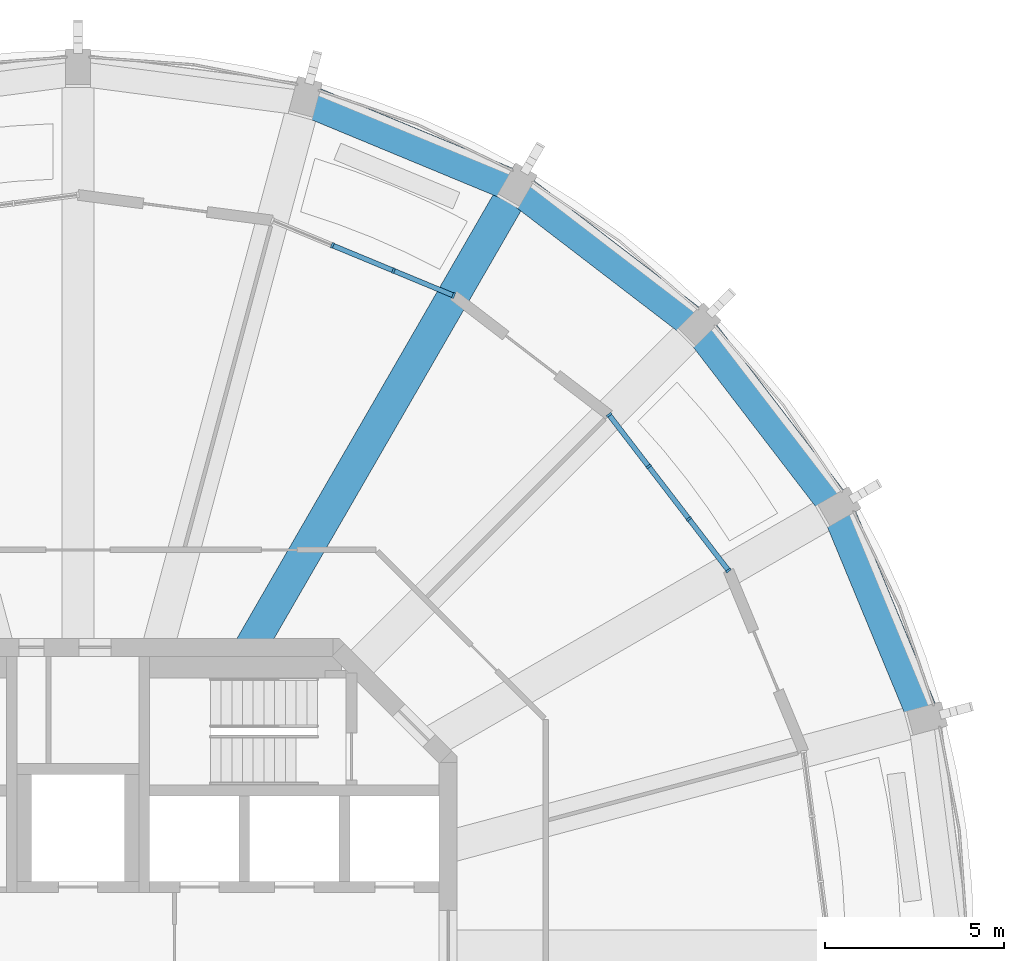
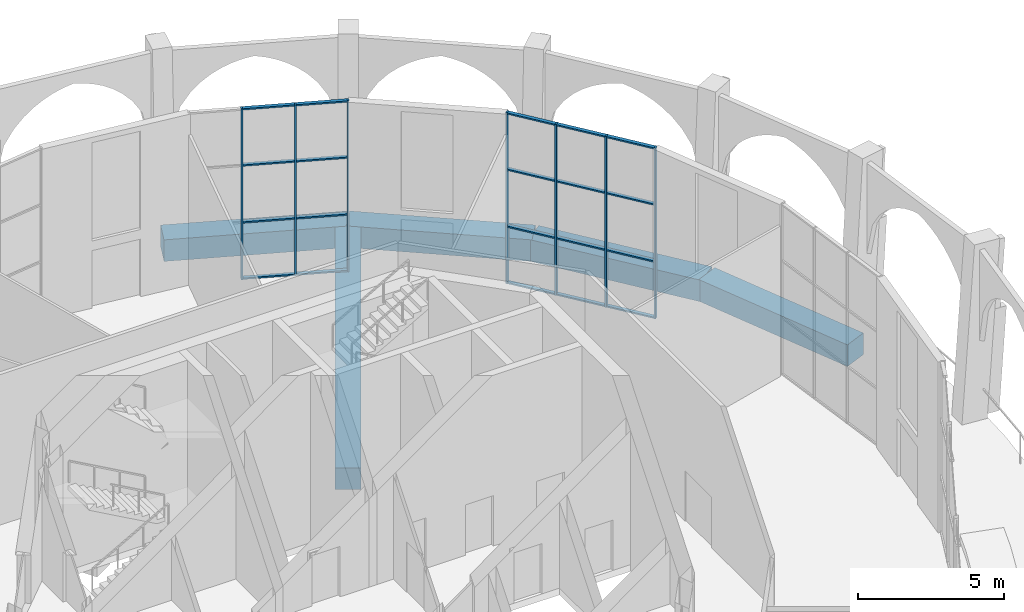
# One storey, part 7 of 17: 27 members, 5 beams, 2 elements without a shape of their own.
"""IFC4 building model written with IfcOpenShell, lengths in metres."""

from ifc_helpers import new_model, si_unit, direction, frame, origin, origin_2d, place, context, subcontext, project, spatial, rectangle, extrude, material, material_profile, profile_set, type_object, element, aggregate, save


model = new_model("IFC4")

# Units and contexts
model_context = context("Model", 3, precision=1e-05, world=origin(), true_north=direction((0.0, 1.0)))
body_context = subcontext(model_context, "Body", "Model", "MODEL_VIEW")
ifc_project = project(units=[si_unit("LENGTHUNIT", "METRE"), si_unit("AREAUNIT", "SQUARE_METRE"), si_unit("VOLUMEUNIT", "CUBIC_METRE"), si_unit("PLANEANGLEUNIT", "RADIAN"), si_unit("MASSUNIT", "GRAM", prefix="KILO")], contexts=[model_context])

# Site, building, storey
site_placement = place(None, origin())
site = spatial("IfcSite", under=ifc_project, at=site_placement, CompositionType="ELEMENT")
building_placement = place(site_placement, origin())
building = spatial("IfcBuilding", under=site, at=building_placement, Name="Torre Triforio", CompositionType="ELEMENT")
storey_placement = place(building_placement, frame((0.0, 0.0, 276.0)))
storey = spatial("IfcBuildingStorey", under=building, at=storey_placement, Name="L64", CompositionType="ELEMENT", Elevation=276.0)

# Curtain wall, members
ifc_material_1 = material(Name="Aluminium mullion and transom frame with clear laminated glass", Category="aluminium")
curtain_wall_type = type_object("IfcCurtainWallType", Name="Sky garden conservatory wall ECW3", PredefinedType="NOTDEFINED", material=ifc_material_1)
curtain_wall_1_placement = place(storey_placement, origin())
curtain_wall_1 = element("IfcCurtainWall", 1, at=curtain_wall_1_placement, inside=storey, type_object=curtain_wall_type, Name="Conservatory wall L64 bay 03", PredefinedType="NOTDEFINED")
ifc_material_2 = material(Name="Anodised aluminium extrusion", Category="aluminium")
ifc_material_profile_1 = material_profile(ifc_material_2, rectangle(XDim=0.159912109375, YDim=0.06005859375, at=origin_2d()), Name="ECW3 MULLION 60x160")
ifc_profile_set_1 = profile_set([ifc_material_profile_1], Name="Anodised aluminium extrusion")
member_type_1 = type_object("IfcMemberType", Name="ECW3 mullion 60 x 160", PredefinedType="MULLION", material=ifc_profile_set_1)
member_1_placement = place(storey_placement, frame((18.1865234375, 10.5, 0.0), z_axis=(0.0, 0.0, 1.0), x_axis=(-0.793351885029, -0.608763325538, 0.0)))
member_1 = element("IfcMember", 2, at=member_1_placement, type_object=member_type_1, Name="ECW3 mullion 1", PredefinedType="MULLION", context=body_context, shape_type="SweptSolid", body=[
    extrude(rectangle(XDim=0.159912109375, YDim=0.06005859375, at=origin_2d()), origin(), (0.0, 0.0, 1.0), 7.1201171875),
])
member_2_placement = place(storey_placement, frame((17.080078125, 11.94189453125, 0.0), z_axis=(0.0, 0.0, 1.0), x_axis=(-0.793351885029, -0.608763325538, 0.0)))
member_2 = element("IfcMember", 3, at=member_2_placement, type_object=member_type_1, Name="ECW3 mullion 2", PredefinedType="MULLION", context=body_context, shape_type="SweptSolid", body=[
    extrude(rectangle(XDim=0.159912109375, YDim=0.06005859375, at=origin_2d()), origin(), (0.0, 0.0, 1.0), 7.1201171875),
])
member_3_placement = place(storey_placement, frame((15.95556640625, 13.407470703125, 0.0), z_axis=(0.0, 0.0, 1.0), x_axis=(-0.793351885029, -0.608763325538, 0.0)))
member_3 = element("IfcMember", 4, at=member_3_placement, type_object=member_type_1, Name="ECW3 mullion 3", PredefinedType="MULLION", context=body_context, shape_type="SweptSolid", body=[
    extrude(rectangle(XDim=0.159912109375, YDim=0.06005859375, at=origin_2d()), origin(), (0.0, 0.0, 1.0), 7.1201171875),
])
member_4_placement = place(storey_placement, frame((14.849365234375, 14.84912109375, 0.0), z_axis=(0.0, 0.0, 1.0), x_axis=(-0.793351885029, -0.608763325538, 0.0)))
member_4 = element("IfcMember", 5, at=member_4_placement, type_object=member_type_1, Name="ECW3 mullion 4", PredefinedType="MULLION", context=body_context, shape_type="SweptSolid", body=[
    extrude(rectangle(XDim=0.159912109375, YDim=0.06005859375, at=origin_2d()), origin(), (0.0, 0.0, 1.0), 7.1201171875),
])

curtain_wall_2_placement = place(storey_placement, origin())
curtain_wall_2 = element("IfcCurtainWall", 6, at=curtain_wall_2_placement, inside=storey, type_object=curtain_wall_type, Name="Conservatory wall L64 bay 05", PredefinedType="NOTDEFINED")
member_5_placement = place(storey_placement, frame((10.5, 18.1865234375, 0.0), z_axis=(0.0, 0.0, 1.0), x_axis=(-0.382674764107, -0.923883122974, 0.0)))
member_5 = element("IfcMember", 7, at=member_5_placement, type_object=member_type_1, Name="ECW3 mullion 1", PredefinedType="MULLION", context=body_context, shape_type="SweptSolid", body=[
    extrude(rectangle(XDim=0.159912109375, YDim=0.06005859375, at=origin_2d()), origin(), (0.0, 0.0, 1.0), 7.1201171875),
])
member_6_placement = place(storey_placement, frame((8.821044921875, 18.882080078125, 0.0), z_axis=(0.0, 0.0, 1.0), x_axis=(-0.382674764107, -0.923883122974, 0.0)))
member_6 = element("IfcMember", 8, at=member_6_placement, type_object=member_type_1, Name="ECW3 mullion 2", PredefinedType="MULLION", context=body_context, shape_type="SweptSolid", body=[
    extrude(rectangle(XDim=0.159912109375, YDim=0.06005859375, at=origin_2d()), origin(), (0.0, 0.0, 1.0), 7.1201171875),
])
member_7_placement = place(storey_placement, frame((7.1142578125, 19.5888671875, 0.0), z_axis=(0.0, 0.0, 1.0), x_axis=(-0.382674764107, -0.923883122974, 0.0)))
member_7 = element("IfcMember", 9, at=member_7_placement, type_object=member_type_1, Name="ECW3 mullion 3", PredefinedType="MULLION", context=body_context, shape_type="SweptSolid", body=[
    extrude(rectangle(XDim=0.159912109375, YDim=0.06005859375, at=origin_2d()), origin(), (0.0, 0.0, 1.0), 7.1201171875),
])

# Member
ifc_material_profile_2 = material_profile(ifc_material_2, rectangle(XDim=0.139892578125, YDim=0.06005859375, at=origin_2d()), Name="ECW3 TRANSOM 60x140")
ifc_profile_set_2 = profile_set([ifc_material_profile_2], Name="Anodised aluminium extrusion")
member_type_2 = type_object("IfcMemberType", Name="ECW3 transom 60 x 140", PredefinedType="USERDEFINED", material=ifc_profile_set_2)
member_8_placement = place(storey_placement, frame((18.168212890625, 10.523681640625, 0.030029296875), z_axis=(-0.60874355425, 0.793367055756, 0.0), x_axis=(-0.793367055756, -0.60874355425, 0.0)))
member_8 = element("IfcMember", 10, at=member_8_placement, type_object=member_type_2, Name="ECW3 transom 1.1", ObjectType="TRANSOM", PredefinedType="USERDEFINED", context=body_context, shape_type="SweptSolid", body=[
    extrude(rectangle(XDim=0.139892578125, YDim=0.06005859375, at=origin_2d()), origin(), (0.0, 0.0, 1.0), 1.75732421875),
])

member_9_placement = place(storey_placement, frame((18.168212890625, 10.523681640625, 2.373291015625), z_axis=(-0.60874355425, 0.793367055756, 0.0), x_axis=(-0.793367055756, -0.60874355425, 0.0)))
member_9 = element("IfcMember", 11, at=member_9_placement, type_object=member_type_2, Name="ECW3 transom 1.2", ObjectType="TRANSOM", PredefinedType="USERDEFINED", context=body_context, shape_type="SweptSolid", body=[
    extrude(rectangle(XDim=0.139892578125, YDim=0.06005859375, at=origin_2d()), origin(), (0.0, 0.0, 1.0), 1.75732421875),
])

member_10_placement = place(storey_placement, frame((18.168212890625, 10.523681640625, 4.74658203125), z_axis=(-0.60874355425, 0.793367055756, 0.0), x_axis=(-0.793367055756, -0.60874355425, 0.0)))
member_10 = element("IfcMember", 12, at=member_10_placement, type_object=member_type_2, Name="ECW3 transom 1.3", ObjectType="TRANSOM", PredefinedType="USERDEFINED", context=body_context, shape_type="SweptSolid", body=[
    extrude(rectangle(XDim=0.139892578125, YDim=0.06005859375, at=origin_2d()), origin(), (0.0, 0.0, 1.0), 1.75732421875),
])

member_11_placement = place(storey_placement, frame((18.168212890625, 10.523681640625, 7.090087890625), z_axis=(-0.60874355425, 0.793367055756, 0.0), x_axis=(-0.793367055756, -0.60874355425, 0.0)))
member_11 = element("IfcMember", 13, at=member_11_placement, type_object=member_type_2, Name="ECW3 transom 1.4", ObjectType="TRANSOM", PredefinedType="USERDEFINED", context=body_context, shape_type="SweptSolid", body=[
    extrude(rectangle(XDim=0.139892578125, YDim=0.06005859375, at=origin_2d()), origin(), (0.0, 0.0, 1.0), 1.75732421875),
])

member_12_placement = place(storey_placement, frame((17.06201171875, 11.965576171875, 0.030029296875), z_axis=(-0.608792795973, 0.793329270588, 0.0), x_axis=(-0.793329270588, -0.608792795973, 0.0)))
member_12 = element("IfcMember", 14, at=member_12_placement, type_object=member_type_2, Name="ECW3 transom 2.1", ObjectType="TRANSOM", PredefinedType="USERDEFINED", context=body_context, shape_type="SweptSolid", body=[
    extrude(rectangle(XDim=0.139892578125, YDim=0.06005859375, at=origin_2d()), origin(), (0.0, 0.0, 1.0), 1.787353515625),
])

member_13_placement = place(storey_placement, frame((17.06201171875, 11.965576171875, 2.373291015625), z_axis=(-0.608792795973, 0.793329270588, 0.0), x_axis=(-0.793329270588, -0.608792795973, 0.0)))
member_13 = element("IfcMember", 15, at=member_13_placement, type_object=member_type_2, Name="ECW3 transom 2.2", ObjectType="TRANSOM", PredefinedType="USERDEFINED", context=body_context, shape_type="SweptSolid", body=[
    extrude(rectangle(XDim=0.139892578125, YDim=0.06005859375, at=origin_2d()), origin(), (0.0, 0.0, 1.0), 1.787353515625),
])

member_14_placement = place(storey_placement, frame((17.06201171875, 11.965576171875, 4.74658203125), z_axis=(-0.608792795973, 0.793329270588, 0.0), x_axis=(-0.793329270588, -0.608792795973, 0.0)))
member_14 = element("IfcMember", 16, at=member_14_placement, type_object=member_type_2, Name="ECW3 transom 2.3", ObjectType="TRANSOM", PredefinedType="USERDEFINED", context=body_context, shape_type="SweptSolid", body=[
    extrude(rectangle(XDim=0.139892578125, YDim=0.06005859375, at=origin_2d()), origin(), (0.0, 0.0, 1.0), 1.787353515625),
])

member_15_placement = place(storey_placement, frame((17.06201171875, 11.965576171875, 7.090087890625), z_axis=(-0.608792795973, 0.793329270588, 0.0), x_axis=(-0.793329270588, -0.608792795973, 0.0)))
member_15 = element("IfcMember", 17, at=member_15_placement, type_object=member_type_2, Name="ECW3 transom 2.4", ObjectType="TRANSOM", PredefinedType="USERDEFINED", context=body_context, shape_type="SweptSolid", body=[
    extrude(rectangle(XDim=0.139892578125, YDim=0.06005859375, at=origin_2d()), origin(), (0.0, 0.0, 1.0), 1.787353515625),
])

member_16_placement = place(storey_placement, frame((15.937255859375, 13.43115234375, 0.030029296875), z_axis=(-0.60874355425, 0.793367055756, 0.0), x_axis=(-0.793367055756, -0.60874355425, 0.0)))
member_16 = element("IfcMember", 18, at=member_16_placement, type_object=member_type_2, Name="ECW3 transom 3.1", ObjectType="TRANSOM", PredefinedType="USERDEFINED", context=body_context, shape_type="SweptSolid", body=[
    extrude(rectangle(XDim=0.139892578125, YDim=0.06005859375, at=origin_2d()), origin(), (0.0, 0.0, 1.0), 1.75732421875),
])

member_17_placement = place(storey_placement, frame((15.937255859375, 13.43115234375, 2.373291015625), z_axis=(-0.60874355425, 0.793367055756, 0.0), x_axis=(-0.793367055756, -0.60874355425, 0.0)))
member_17 = element("IfcMember", 19, at=member_17_placement, type_object=member_type_2, Name="ECW3 transom 3.2", ObjectType="TRANSOM", PredefinedType="USERDEFINED", context=body_context, shape_type="SweptSolid", body=[
    extrude(rectangle(XDim=0.139892578125, YDim=0.06005859375, at=origin_2d()), origin(), (0.0, 0.0, 1.0), 1.75732421875),
])

member_18_placement = place(storey_placement, frame((15.937255859375, 13.43115234375, 4.74658203125), z_axis=(-0.60874355425, 0.793367055756, 0.0), x_axis=(-0.793367055756, -0.60874355425, 0.0)))
member_18 = element("IfcMember", 20, at=member_18_placement, type_object=member_type_2, Name="ECW3 transom 3.3", ObjectType="TRANSOM", PredefinedType="USERDEFINED", context=body_context, shape_type="SweptSolid", body=[
    extrude(rectangle(XDim=0.139892578125, YDim=0.06005859375, at=origin_2d()), origin(), (0.0, 0.0, 1.0), 1.75732421875),
])

member_19_placement = place(storey_placement, frame((15.937255859375, 13.43115234375, 7.090087890625), z_axis=(-0.60874355425, 0.793367055756, 0.0), x_axis=(-0.793367055756, -0.60874355425, 0.0)))
member_19 = element("IfcMember", 21, at=member_19_placement, type_object=member_type_2, Name="ECW3 transom 3.4", ObjectType="TRANSOM", PredefinedType="USERDEFINED", context=body_context, shape_type="SweptSolid", body=[
    extrude(rectangle(XDim=0.139892578125, YDim=0.06005859375, at=origin_2d()), origin(), (0.0, 0.0, 1.0), 1.75732421875),
])

aggregate(curtain_wall_1, [member_1, member_2, member_3, member_4, member_8, member_9, member_10, member_11, member_12, member_13, member_14, member_15, member_16, member_17, member_18, member_19])

member_20_placement = place(storey_placement, frame((10.47216796875, 18.197998046875, 0.030029296875), z_axis=(-0.923855963606, 0.38274032778, 0.0), x_axis=(-0.38274032778, -0.923855963606, 0.0)))
member_20 = element("IfcMember", 22, at=member_20_placement, type_object=member_type_2, Name="ECW3 transom 1.1", ObjectType="TRANSOM", PredefinedType="USERDEFINED", context=body_context, shape_type="SweptSolid", body=[
    extrude(rectangle(XDim=0.139892578125, YDim=0.06005859375, at=origin_2d()), origin(), (0.0, 0.0, 1.0), 1.75732421875),
])

member_21_placement = place(storey_placement, frame((10.47216796875, 18.197998046875, 2.373291015625), z_axis=(-0.923855963606, 0.38274032778, 0.0), x_axis=(-0.38274032778, -0.923855963606, 0.0)))
member_21 = element("IfcMember", 23, at=member_21_placement, type_object=member_type_2, Name="ECW3 transom 1.2", ObjectType="TRANSOM", PredefinedType="USERDEFINED", context=body_context, shape_type="SweptSolid", body=[
    extrude(rectangle(XDim=0.139892578125, YDim=0.06005859375, at=origin_2d()), origin(), (0.0, 0.0, 1.0), 1.75732421875),
])

member_22_placement = place(storey_placement, frame((10.47216796875, 18.197998046875, 4.74658203125), z_axis=(-0.923855963606, 0.38274032778, 0.0), x_axis=(-0.38274032778, -0.923855963606, 0.0)))
member_22 = element("IfcMember", 24, at=member_22_placement, type_object=member_type_2, Name="ECW3 transom 1.3", ObjectType="TRANSOM", PredefinedType="USERDEFINED", context=body_context, shape_type="SweptSolid", body=[
    extrude(rectangle(XDim=0.139892578125, YDim=0.06005859375, at=origin_2d()), origin(), (0.0, 0.0, 1.0), 1.75732421875),
])

member_23_placement = place(storey_placement, frame((10.47216796875, 18.197998046875, 7.090087890625), z_axis=(-0.923855963606, 0.38274032778, 0.0), x_axis=(-0.38274032778, -0.923855963606, 0.0)))
member_23 = element("IfcMember", 25, at=member_23_placement, type_object=member_type_2, Name="ECW3 transom 1.4", ObjectType="TRANSOM", PredefinedType="USERDEFINED", context=body_context, shape_type="SweptSolid", body=[
    extrude(rectangle(XDim=0.139892578125, YDim=0.06005859375, at=origin_2d()), origin(), (0.0, 0.0, 1.0), 1.75732421875),
])

member_24_placement = place(storey_placement, frame((8.793212890625, 18.8935546875, 0.030029296875), z_axis=(-0.923915291126, 0.382597092023, 0.0), x_axis=(-0.382597092023, -0.923915291126, 0.0)))
member_24 = element("IfcMember", 26, at=member_24_placement, type_object=member_type_2, Name="ECW3 transom 2.1", ObjectType="TRANSOM", PredefinedType="USERDEFINED", context=body_context, shape_type="SweptSolid", body=[
    extrude(rectangle(XDim=0.139892578125, YDim=0.06005859375, at=origin_2d()), origin(), (0.0, 0.0, 1.0), 1.787353515625),
])

member_25_placement = place(storey_placement, frame((8.793212890625, 18.8935546875, 2.373291015625), z_axis=(-0.923915291126, 0.382597092023, 0.0), x_axis=(-0.382597092023, -0.923915291126, 0.0)))
member_25 = element("IfcMember", 27, at=member_25_placement, type_object=member_type_2, Name="ECW3 transom 2.2", ObjectType="TRANSOM", PredefinedType="USERDEFINED", context=body_context, shape_type="SweptSolid", body=[
    extrude(rectangle(XDim=0.139892578125, YDim=0.06005859375, at=origin_2d()), origin(), (0.0, 0.0, 1.0), 1.787353515625),
])

member_26_placement = place(storey_placement, frame((8.793212890625, 18.8935546875, 4.74658203125), z_axis=(-0.923915291126, 0.382597092023, 0.0), x_axis=(-0.382597092023, -0.923915291126, 0.0)))
member_26 = element("IfcMember", 28, at=member_26_placement, type_object=member_type_2, Name="ECW3 transom 2.3", ObjectType="TRANSOM", PredefinedType="USERDEFINED", context=body_context, shape_type="SweptSolid", body=[
    extrude(rectangle(XDim=0.139892578125, YDim=0.06005859375, at=origin_2d()), origin(), (0.0, 0.0, 1.0), 1.787353515625),
])

member_27_placement = place(storey_placement, frame((8.793212890625, 18.8935546875, 7.090087890625), z_axis=(-0.923915291126, 0.382597092023, 0.0), x_axis=(-0.382597092023, -0.923915291126, 0.0)))
member_27 = element("IfcMember", 29, at=member_27_placement, type_object=member_type_2, Name="ECW3 transom 2.4", ObjectType="TRANSOM", PredefinedType="USERDEFINED", context=body_context, shape_type="SweptSolid", body=[
    extrude(rectangle(XDim=0.139892578125, YDim=0.06005859375, at=origin_2d()), origin(), (0.0, 0.0, 1.0), 1.787353515625),
])

aggregate(curtain_wall_2, [member_5, member_6, member_7, member_20, member_21, member_22, member_23, member_24, member_25, member_26, member_27])

# Beams
ifc_material_3 = material(Name="Concrete C40", Category="concrete")
ifc_material_profile_3 = material_profile(ifc_material_3, rectangle(XDim=0.89990234375, YDim=0.89990234375, at=origin_2d()), Name="RC 900x900")
ifc_profile_set_3 = profile_set([ifc_material_profile_3], Name="Concrete C40")
beam_type_1 = type_object("IfcBeamType", Name="Radial beam RC 900x900 C40", PredefinedType="BEAM", material=ifc_profile_set_3)
beam_placement = place(storey_placement, frame((4.82080078125, 8.35009765625, -0.72998046875), z_axis=(0.50000929273, 0.866020038558, 0.0), x_axis=(-0.866020038558, 0.50000929273, 0.0)))
element("IfcBeam", 30, at=beam_placement, inside=storey, type_object=beam_type_1, Name="BM.R.L64.04", PredefinedType="BEAM", context=body_context, shape_type="SweptSolid", body=[
    extrude(rectangle(XDim=0.89990234375, YDim=0.89990234375, at=origin_2d()), origin(), (0.0, 0.0, 1.0), 14.858154296875),
])
ifc_material_profile_4 = material_profile(ifc_material_3, rectangle(XDim=0.89990234375, YDim=0.89990234375, at=origin_2d()), Name="RC 900x900")
ifc_profile_set_4 = profile_set([ifc_material_profile_4], Name="Concrete C40")
beam_type_2 = type_object("IfcBeamType", Name="Spandrel beam RC 900x900 C40", PredefinedType="SPANDREL", material=ifc_profile_set_4)
for number, where, z_axis, x_axis, name in (
    (31, (23.665283203125, 6.341064453125, -0.72998046875), (-0.382709143949, 0.923868882006, 0.0), (-0.923868882006, -0.382709143949, 0.0), "BM.S.L64.01"),
    (32, (21.217529296875, 12.25, -0.72998046875), (-0.60873442055, 0.79337406388, 0.0), (-0.79337406388, -0.60873442055, 0.0), "BM.S.L64.02"),
    (33, (17.32421875, 17.32421875, -0.72998046875), (-0.79337406388, 0.60873442055, 0.0), (-0.60873442055, -0.79337406388, 0.0), "BM.S.L64.03"),
    (34, (12.25, 21.217529296875, -0.72998046875), (-0.923868882006, 0.382709143949, 0.0), (-0.382709143949, -0.923868882006, 0.0), "BM.S.L64.04"),
):
    element("IfcBeam", number, at=place(storey_placement, frame(where, z_axis=z_axis, x_axis=x_axis)), inside=storey, type_object=beam_type_2, Name=name, PredefinedType="SPANDREL", context=body_context, shape_type="SweptSolid", body=[
        extrude(rectangle(XDim=0.89990234375, YDim=0.89990234375, at=origin_2d()), origin(), (0.0, 0.0, 1.0), 6.395751953125),
    ])

save(model, "model.ifc")
